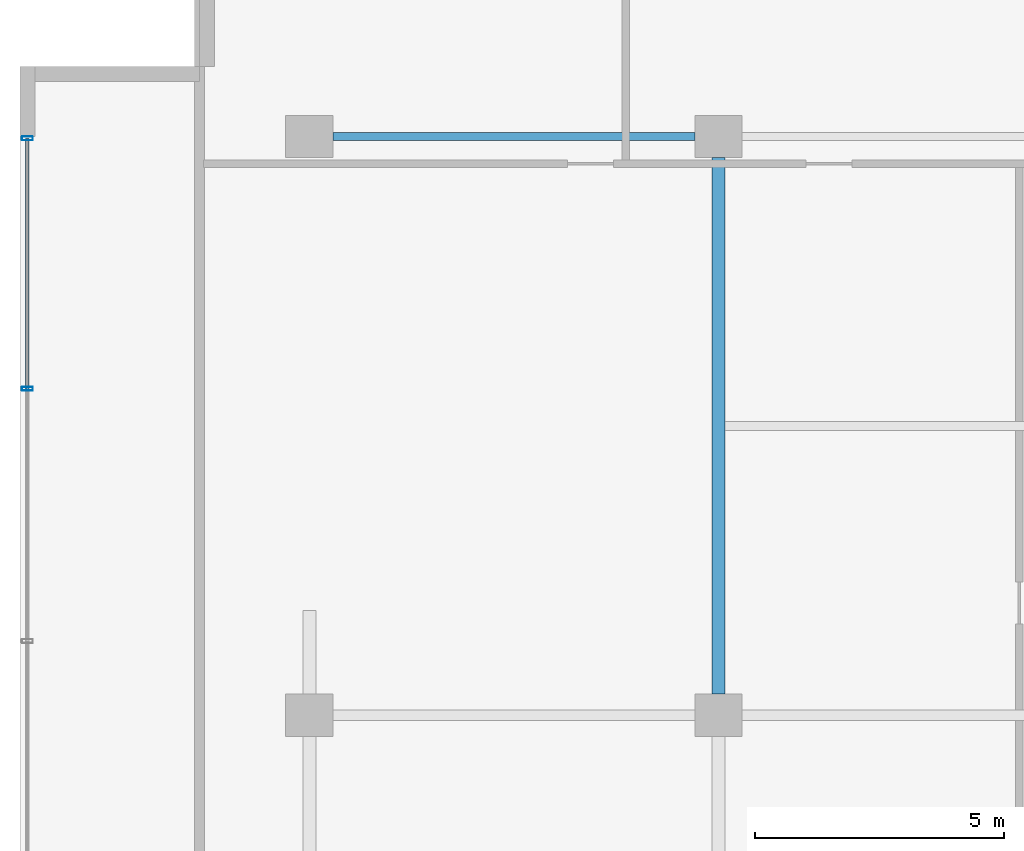
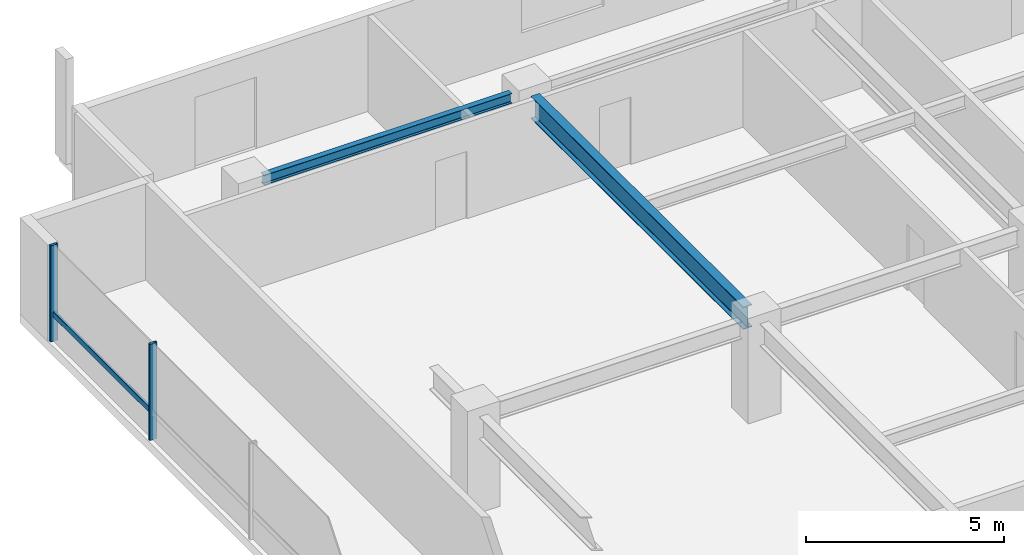
# One storey, part 14 of 38: 3 members, 2 beams, 1 element without a shape of its own.
"""IFC4 building model written with IfcOpenShell, lengths in metres."""

from ifc_helpers import new_model, si_unit, direction, frame, origin, origin_2d, place, context, subcontext, project, spatial, hollow_rectangle, i_section, extrude, material, layer, layer_set, material_profile, profile_set, type_object, element, aggregate, save


model = new_model("IFC4")

# Units and contexts
model_context = context("Model", 3, precision=1e-05, world=origin(), true_north=direction((0.0, 1.0)))
body_context = subcontext(model_context, "Body", "Model", "MODEL_VIEW")
ifc_project = project(units=[si_unit("LENGTHUNIT", "METRE"), si_unit("AREAUNIT", "SQUARE_METRE"), si_unit("VOLUMEUNIT", "CUBIC_METRE"), si_unit("PLANEANGLEUNIT", "RADIAN"), si_unit("MASSUNIT", "GRAM", prefix="KILO")], contexts=[model_context])

# Site, building, storey
site_placement = place(None, origin())
site = spatial("IfcSite", under=ifc_project, at=site_placement, CompositionType="ELEMENT")
building_placement = place(site_placement, origin())
building = spatial("IfcBuilding", under=site, at=building_placement, Name="Korimba Cascade Residences", CompositionType="ELEMENT")
storey_placement = place(building_placement, frame((0.0, 0.0, 93.800048828125)))
storey = spatial("IfcBuildingStorey", under=building, at=storey_placement, Name="L26", CompositionType="ELEMENT", Elevation=93.800048828125)

# Beams
ifc_material_1 = material(Name="Steel S355", Category="steel")
ifc_material_profile_1 = material_profile(ifc_material_1, i_section(OverallWidth=0.165771484375, OverallDepth=0.306640625, WebThickness=0.006591796875, FlangeThickness=0.01171875, FilletRadius=0.0087890625, at=origin_2d()), Name="Steel S355")
ifc_profile_set_1 = profile_set([ifc_material_profile_1], Name="Steel S355")
beam_type_1 = type_object("IfcBeamType", Name="BM-STL-UB305", PredefinedType="SPANDREL", material=ifc_profile_set_1)
beam_1_placement = place(storey_placement, frame((60.27490234375, 91.199951171875, 2.816650390625), z_axis=(1.0, 0.0, 0.0), x_axis=(0.0, 1.0, 0.0)))
element("IfcBeam", 1, at=beam_1_placement, inside=storey, type_object=beam_type_1, Name="L26 T1 E-W Girder Y4 Bay 1", PredefinedType="SPANDREL", context=body_context, shape_type="SweptSolid", body=[
    extrude(i_section(OverallWidth=0.165771484375, OverallDepth=0.306640625, WebThickness=0.006591796875, FlangeThickness=0.01171875, FilletRadius=0.0087890625, at=origin_2d()), origin(), (0.0, 0.0, 1.0), 7.25),
])
ifc_material_profile_2 = material_profile(ifc_material_1, i_section(OverallWidth=0.255859375, OverallDepth=0.69287109375, WebThickness=0.014404296875, FlangeThickness=0.023681640625, FilletRadius=0.01513671875, at=origin_2d()), Name="Steel S355")
ifc_profile_set_2 = profile_set([ifc_material_profile_2], Name="Steel S355")
beam_type_2 = type_object("IfcBeamType", Name="BM-STL-UB686", PredefinedType="BEAM", material=ifc_profile_set_2)
beam_2_placement = place(storey_placement, frame((68.0, 80.02490234375, 2.62353515625), z_axis=(0.0, 1.0, 0.0), x_axis=(-1.0, 0.0, 0.0)))
element("IfcBeam", 2, at=beam_2_placement, inside=storey, type_object=beam_type_2, Name="L26 T1 N-S Girder X2 Seg 3", PredefinedType="BEAM", context=body_context, shape_type="SweptSolid", body=[
    extrude(i_section(OverallWidth=0.255859375, OverallDepth=0.69287109375, WebThickness=0.014404296875, FlangeThickness=0.023681640625, FilletRadius=0.01513671875, at=origin_2d()), origin(), (0.0, 0.0, 1.0), 10.75),
])

# Curtain wall, members
ifc_material_2 = material(Name="Anodised Aluminium Curtain Wall Framing", Category="aluminium")
ifc_layer = layer(ifc_material_2, 0.179931640625)
ifc_layer_set = layer_set([ifc_layer], Name="Anodised Aluminium Curtain Wall Framing")
curtain_wall_type = type_object("IfcCurtainWallType", Name="CW-SKY-SYS2", PredefinedType="NOTDEFINED", material=ifc_layer_set)
curtain_wall_placement = place(storey_placement, origin())
curtain_wall = element("IfcCurtainWall", 3, at=curtain_wall_placement, inside=storey, type_object=curtain_wall_type, Name="L26 Curtain Wall CW-L26-T1-E9", PredefinedType="NOTDEFINED")
ifc_material_3 = material(Name="Anodised Aluminium Mullion", Category="aluminium")
ifc_material_profile_3 = material_profile(ifc_material_3, hollow_rectangle(XDim=0.080078125, YDim=0.219970703125, WallThickness=0.00634765625, InnerFilletRadius=0.00634765625, OuterFilletRadius=0.0126953125, at=origin_2d()), Name="Anodised Aluminium Mullion")
ifc_profile_set_3 = profile_set([ifc_material_profile_3], Name="Anodised Aluminium Mullion")
member_type_1 = type_object("IfcMemberType", Name="CWM-MUL-220", PredefinedType="MULLION", material=ifc_profile_set_3)
member_1_placement = place(storey_placement, frame((54.14990234375, 91.159912109375, 0.0), z_axis=(0.0, 0.0, 1.0), x_axis=(0.0, -1.0, 0.0)))
member_1 = element("IfcMember", 4, at=member_1_placement, type_object=member_type_1, Name="CW-L26-T1-E9 Mullion 1", PredefinedType="MULLION", context=body_context, shape_type="SweptSolid", body=[
    extrude(hollow_rectangle(XDim=0.080078125, YDim=0.219970703125, WallThickness=0.00634765625, InnerFilletRadius=0.00634765625, OuterFilletRadius=0.0126953125, at=origin_2d()), origin(), (0.0, 0.0, 1.0), 2.969970703125),
])
member_2_placement = place(storey_placement, frame((54.14990234375, 86.142822265625, 0.0), z_axis=(0.0, 0.0, 1.0), x_axis=(0.0, -1.0, 0.0)))
member_2 = element("IfcMember", 5, at=member_2_placement, type_object=member_type_1, Name="CW-L26-T1-E9 Mullion 2", PredefinedType="MULLION", context=body_context, shape_type="SweptSolid", body=[
    extrude(hollow_rectangle(XDim=0.080078125, YDim=0.219970703125, WallThickness=0.00634765625, InnerFilletRadius=0.00634765625, OuterFilletRadius=0.0126953125, at=origin_2d()), origin(), (0.0, 0.0, 1.0), 2.969970703125),
])
ifc_material_4 = material(Name="Anodised Aluminium Transom", Category="aluminium")
ifc_material_profile_4 = material_profile(ifc_material_4, hollow_rectangle(XDim=0.070068359375, YDim=0.179931640625, WallThickness=0.0048828125, InnerFilletRadius=0.0048828125, OuterFilletRadius=0.010009765625, at=origin_2d()), Name="Anodised Aluminium Transom")
ifc_profile_set_4 = profile_set([ifc_material_profile_4], Name="Anodised Aluminium Transom")
member_type_2 = type_object("IfcMemberType", Name="CWM-TRN-150", PredefinedType="USERDEFINED", material=ifc_profile_set_4)
member_3_placement = place(storey_placement, frame((54.14990234375, 91.159912109375, 0.83154296875), z_axis=(0.0, -1.0, 0.0), x_axis=(1.0, 0.0, 0.0)))
member_3 = element("IfcMember", 6, at=member_3_placement, type_object=member_type_2, Name="CW-L26-T1-E9 Transom 1", ObjectType="TRANSOM", PredefinedType="USERDEFINED", context=body_context, shape_type="SweptSolid", body=[
    extrude(hollow_rectangle(XDim=0.070068359375, YDim=0.179931640625, WallThickness=0.0048828125, InnerFilletRadius=0.0048828125, OuterFilletRadius=0.010009765625, at=origin_2d()), origin(), (0.0, 0.0, 1.0), 5.01708984375),
])
aggregate(curtain_wall, [member_1, member_2, member_3])

save(model, "model.ifc")
